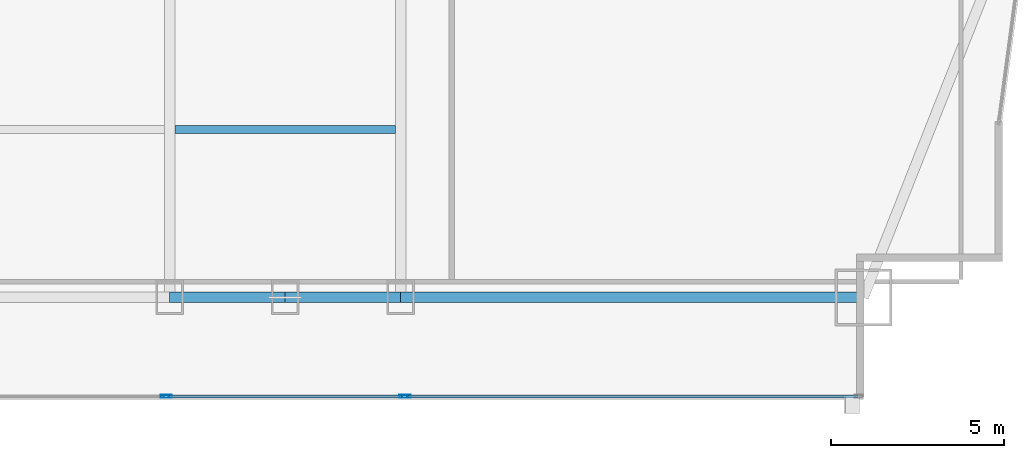
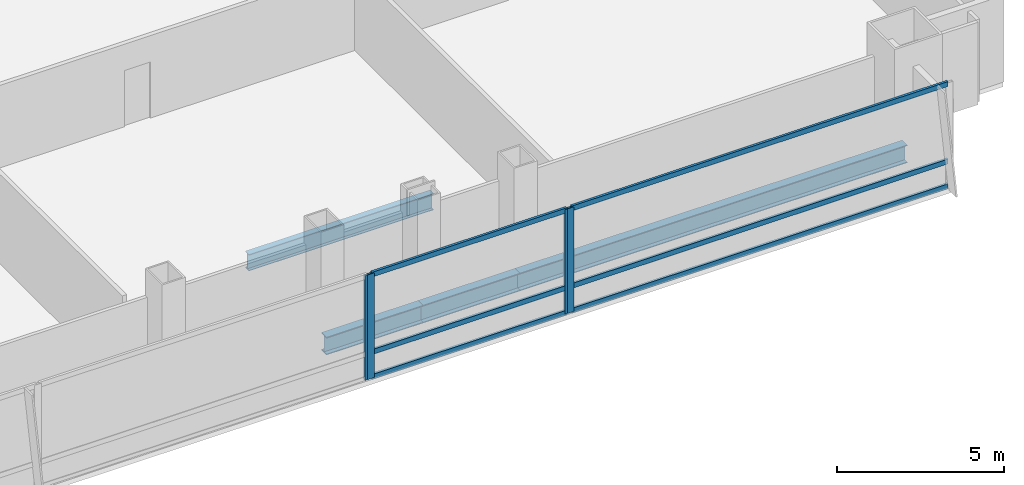
# One storey, part 14 of 35: 10 members, 4 beams, 3 elements without a shape of their own.
"""IFC4 building model written with IfcOpenShell, lengths in metres."""

from ifc_helpers import new_model, si_unit, direction, frame, origin, origin_2d, place, context, subcontext, project, spatial, hollow_rectangle, i_section, extrude, material, material_profile, profile_set, type_object, element, aggregate, save


model = new_model("IFC4")

# Units and contexts
model_context = context("Model", 3, precision=1e-05, world=origin(), true_north=direction((0.0, 1.0)))
body_context = subcontext(model_context, "Body", "Model", "MODEL_VIEW")
ifc_project = project(units=[si_unit("LENGTHUNIT", "METRE"), si_unit("AREAUNIT", "SQUARE_METRE"), si_unit("VOLUMEUNIT", "CUBIC_METRE"), si_unit("PLANEANGLEUNIT", "RADIAN"), si_unit("MASSUNIT", "GRAM", prefix="KILO")], contexts=[model_context])

# Site, building, storey
site_placement = place(None, origin())
site = spatial("IfcSite", under=ifc_project, at=site_placement, CompositionType="ELEMENT")
building_placement = place(site_placement, origin())
building = spatial("IfcBuilding", under=site, at=building_placement, Name="Khoronbel Lancet Exchange", CompositionType="ELEMENT")
storey_placement = place(building_placement, frame((0.0, 0.0, 69.800048828125)))
storey = spatial("IfcBuildingStorey", under=building, at=storey_placement, Name="L16", CompositionType="ELEMENT", Elevation=69.800048828125)

# Beams
ifc_material_1 = material(Name="Steel S355", Category="steel")
ifc_material_profile_1 = material_profile(ifc_material_1, i_section(OverallWidth=0.219970703125, OverallDepth=0.60009765625, WebThickness=0.011962890625, FlangeThickness=0.01904296875, at=origin_2d()), Name="IPE 600")
ifc_profile_set_1 = profile_set([ifc_material_profile_1], Name="Steel S355")
beam_type_1 = type_object("IfcBeamType", Name="BM-BJ1", PredefinedType="JOIST", material=ifc_profile_set_1)
beam_1_placement = place(storey_placement, frame((48.14990234375, 15.0, -0.47998046875), z_axis=(1.0, 0.0, 0.0), x_axis=(0.0, 1.0, 0.0)))
element("IfcBeam", 1, at=beam_1_placement, inside=storey, type_object=beam_type_1, Name="Level L16 secondary composite joist J05", PredefinedType="JOIST", context=body_context, shape_type="SweptSolid", body=[
    extrude(i_section(OverallWidth=0.219970703125, OverallDepth=0.60009765625, WebThickness=0.011962890625, FlangeThickness=0.01904296875, at=origin_2d()), origin(), (0.0, 0.0, 1.0), 6.375),
])
ifc_material_profile_2 = material_profile(ifc_material_1, i_section(OverallWidth=0.300048828125, OverallDepth=0.64990234375, WebThickness=0.01611328125, FlangeThickness=0.031005859375, at=origin_2d()), Name="HEB 650")
ifc_profile_set_2 = profile_set([ifc_material_profile_2], Name="Steel S355")
beam_type_2 = type_object("IfcBeamType", Name="BM-BSP1", PredefinedType="SPANDREL", material=ifc_profile_set_2)
beam_2_placement = place(storey_placement, frame((48.0, 10.14990234375, -0.505126953125), z_axis=(1.0, 0.0, 0.0), x_axis=(0.0, 1.0, 0.0)))
element("IfcBeam", 2, at=beam_2_placement, inside=storey, type_object=beam_type_2, Name="Level L16 perimeter spandrel beam SP07", PredefinedType="SPANDREL", context=body_context, shape_type="SweptSolid", body=[
    extrude(i_section(OverallWidth=0.300048828125, OverallDepth=0.64990234375, WebThickness=0.01611328125, FlangeThickness=0.031005859375, at=origin_2d()), origin(), (0.0, 0.0, 1.0), 3.33740234375),
])
beam_3_placement = place(storey_placement, frame((51.33740234375, 10.14990234375, -0.505126953125), z_axis=(1.0, 0.0, 0.0), x_axis=(0.0, 1.0, 0.0)))
element("IfcBeam", 3, at=beam_3_placement, inside=storey, type_object=beam_type_2, Name="Level L16 perimeter spandrel beam SP08", PredefinedType="SPANDREL", context=body_context, shape_type="SweptSolid", body=[
    extrude(i_section(OverallWidth=0.300048828125, OverallDepth=0.64990234375, WebThickness=0.01611328125, FlangeThickness=0.031005859375, at=origin_2d()), origin(), (0.0, 0.0, 1.0), 3.337646484375),
])
beam_4_placement = place(storey_placement, frame((54.675048828125, 10.14990234375, -0.505126953125), z_axis=(1.0, 0.0, 0.0), x_axis=(0.0, 1.0, 0.0)))
element("IfcBeam", 4, at=beam_4_placement, inside=storey, type_object=beam_type_2, Name="Level L16 perimeter spandrel beam SP09", PredefinedType="SPANDREL", context=body_context, shape_type="SweptSolid", body=[
    extrude(i_section(OverallWidth=0.300048828125, OverallDepth=0.64990234375, WebThickness=0.01611328125, FlangeThickness=0.031005859375, at=origin_2d()), origin(), (0.0, 0.0, 1.0), 13.375),
])

# Curtain wall, member
ifc_material_2 = material(Name="Low-E Solar Control Insulating Glass", Category="glass")
curtain_wall_type = type_object("IfcCurtainWallType", Name="CW-1", PredefinedType="NOTDEFINED", material=ifc_material_2)
curtain_wall_1_placement = place(storey_placement, origin())
curtain_wall_1 = element("IfcCurtainWall", 5, at=curtain_wall_1_placement, inside=storey, type_object=curtain_wall_type, Name="Unitised curtain wall CW-L16-SCV", PredefinedType="NOTDEFINED")
ifc_material_3 = material(Name="Bronze-Anodised Aluminium 6063-T6", Category="aluminium")
ifc_material_profile_3 = material_profile(ifc_material_3, hollow_rectangle(XDim=0.0849609375, YDim=0.239990234375, WallThickness=0.006103515625, at=origin_2d()), Name="ALU MULLION 85x240")
ifc_profile_set_3 = profile_set([ifc_material_profile_3], Name="Bronze-Anodised Aluminium 6063-T6")
member_type_1 = type_object("IfcMemberType", Name="MEM-CWM1", PredefinedType="MULLION", material=ifc_profile_set_3)
member_1_placement = place(storey_placement, frame((47.857421875, 7.2900390625, 0.0), z_axis=(0.0, 0.0, 1.0), x_axis=(0.0, 1.0, 0.0)))
member_1 = element("IfcMember", 6, at=member_1_placement, type_object=member_type_1, Name="CW1 mullion 3", PredefinedType="MULLION", context=body_context, shape_type="SweptSolid", body=[
    extrude(hollow_rectangle(XDim=0.0849609375, YDim=0.239990234375, WallThickness=0.006103515625, at=origin_2d()), origin(), (0.0, 0.0, 1.0), 3.820068359375),
])
aggregate(curtain_wall_1, [member_1])

# Curtain wall, members
curtain_wall_2_placement = place(storey_placement, origin())
curtain_wall_2 = element("IfcCurtainWall", 7, at=curtain_wall_2_placement, inside=storey, type_object=curtain_wall_type, Name="Unitised curtain wall CW-L16-SEB", PredefinedType="NOTDEFINED")
member_2_placement = place(storey_placement, frame((47.9423828125, 7.2900390625, 0.0), z_axis=(0.0, 0.0, 1.0), x_axis=(0.0, 1.0, 0.0)))
member_2 = element("IfcMember", 8, at=member_2_placement, type_object=member_type_1, Name="CW1 mullion 1", PredefinedType="MULLION", context=body_context, shape_type="SweptSolid", body=[
    extrude(hollow_rectangle(XDim=0.0849609375, YDim=0.239990234375, WallThickness=0.006103515625, at=origin_2d()), origin(), (0.0, 0.0, 1.0), 3.820068359375),
])
member_3_placement = place(storey_placement, frame((54.757568359375, 7.2900390625, 0.0), z_axis=(0.0, 0.0, 1.0), x_axis=(0.0, 1.0, 0.0)))
member_3 = element("IfcMember", 9, at=member_3_placement, type_object=member_type_1, Name="CW1 mullion 2", PredefinedType="MULLION", context=body_context, shape_type="SweptSolid", body=[
    extrude(hollow_rectangle(XDim=0.0849609375, YDim=0.239990234375, WallThickness=0.006103515625, at=origin_2d()), origin(), (0.0, 0.0, 1.0), 3.820068359375),
])

# Curtain wall, member
curtain_wall_3_placement = place(storey_placement, origin())
curtain_wall_3 = element("IfcCurtainWall", 10, at=curtain_wall_3_placement, inside=storey, type_object=curtain_wall_type, Name="Unitised curtain wall CW-L16-SEV", PredefinedType="NOTDEFINED")
member_4_placement = place(storey_placement, frame((54.842529296875, 7.2900390625, 0.0), z_axis=(0.0, 0.0, 1.0), x_axis=(0.0, 1.0, 0.0)))
member_4 = element("IfcMember", 11, at=member_4_placement, type_object=member_type_1, Name="CW1 mullion 1", PredefinedType="MULLION", context=body_context, shape_type="SweptSolid", body=[
    extrude(hollow_rectangle(XDim=0.0849609375, YDim=0.239990234375, WallThickness=0.006103515625, at=origin_2d()), origin(), (0.0, 0.0, 1.0), 3.820068359375),
])

# Member
ifc_material_profile_4 = material_profile(ifc_material_3, hollow_rectangle(XDim=0.0849609375, YDim=0.179931640625, WallThickness=0.0048828125, at=origin_2d()), Name="ALU TRANSOM 85x180")
ifc_profile_set_4 = profile_set([ifc_material_profile_4], Name="Bronze-Anodised Aluminium 6063-T6")
member_type_2 = type_object("IfcMemberType", Name="MEM-CWT1", PredefinedType="USERDEFINED", material=ifc_profile_set_4)
member_5_placement = place(storey_placement, frame((47.985107421875, 7.2900390625, 0.04248046875), z_axis=(1.0, 0.0, 0.0), x_axis=(0.0, 1.0, 0.0)))
member_5 = element("IfcMember", 12, at=member_5_placement, type_object=member_type_2, Name="CW1 transom 1.1", ObjectType="TRANSOM", PredefinedType="USERDEFINED", context=body_context, shape_type="SweptSolid", body=[
    extrude(hollow_rectangle(XDim=0.0849609375, YDim=0.179931640625, WallThickness=0.0048828125, at=origin_2d()), origin(), (0.0, 0.0, 1.0), 6.72998046875),
])

member_6_placement = place(storey_placement, frame((47.985107421875, 7.2900390625, 0.949951171875), z_axis=(1.0, 0.0, 0.0), x_axis=(0.0, 1.0, 0.0)))
member_6 = element("IfcMember", 13, at=member_6_placement, type_object=member_type_2, Name="CW1 transom 1.2", ObjectType="TRANSOM", PredefinedType="USERDEFINED", context=body_context, shape_type="SweptSolid", body=[
    extrude(hollow_rectangle(XDim=0.0849609375, YDim=0.179931640625, WallThickness=0.0048828125, at=origin_2d()), origin(), (0.0, 0.0, 1.0), 6.72998046875),
])

member_7_placement = place(storey_placement, frame((47.985107421875, 7.2900390625, 3.77734375), z_axis=(1.0, 0.0, 0.0), x_axis=(0.0, 1.0, 0.0)))
member_7 = element("IfcMember", 14, at=member_7_placement, type_object=member_type_2, Name="CW1 transom 1.3", ObjectType="TRANSOM", PredefinedType="USERDEFINED", context=body_context, shape_type="SweptSolid", body=[
    extrude(hollow_rectangle(XDim=0.0849609375, YDim=0.179931640625, WallThickness=0.0048828125, at=origin_2d()), origin(), (0.0, 0.0, 1.0), 6.72998046875),
])

aggregate(curtain_wall_2, [member_2, member_3, member_5, member_6, member_7])

member_8_placement = place(storey_placement, frame((54.885009765625, 7.2900390625, 0.04248046875), z_axis=(1.0, 0.0, 0.0), x_axis=(0.0, 1.0, 0.0)))
member_8 = element("IfcMember", 15, at=member_8_placement, type_object=member_type_2, Name="CW1 transom 1.1", ObjectType="TRANSOM", PredefinedType="USERDEFINED", context=body_context, shape_type="SweptSolid", body=[
    extrude(hollow_rectangle(XDim=0.0849609375, YDim=0.179931640625, WallThickness=0.0048828125, at=origin_2d()), origin(), (0.0, 0.0, 1.0), 12.989990234375),
])

member_9_placement = place(storey_placement, frame((54.885009765625, 7.2900390625, 0.949951171875), z_axis=(1.0, 0.0, 0.0), x_axis=(0.0, 1.0, 0.0)))
member_9 = element("IfcMember", 16, at=member_9_placement, type_object=member_type_2, Name="CW1 transom 1.2", ObjectType="TRANSOM", PredefinedType="USERDEFINED", context=body_context, shape_type="SweptSolid", body=[
    extrude(hollow_rectangle(XDim=0.0849609375, YDim=0.179931640625, WallThickness=0.0048828125, at=origin_2d()), origin(), (0.0, 0.0, 1.0), 12.989990234375),
])

member_10_placement = place(storey_placement, frame((54.885009765625, 7.2900390625, 3.77734375), z_axis=(1.0, 0.0, 0.0), x_axis=(0.0, 1.0, 0.0)))
member_10 = element("IfcMember", 17, at=member_10_placement, type_object=member_type_2, Name="CW1 transom 1.3", ObjectType="TRANSOM", PredefinedType="USERDEFINED", context=body_context, shape_type="SweptSolid", body=[
    extrude(hollow_rectangle(XDim=0.0849609375, YDim=0.179931640625, WallThickness=0.0048828125, at=origin_2d()), origin(), (0.0, 0.0, 1.0), 12.989990234375),
])

aggregate(curtain_wall_3, [member_4, member_8, member_9, member_10])

save(model, "model.ifc")
